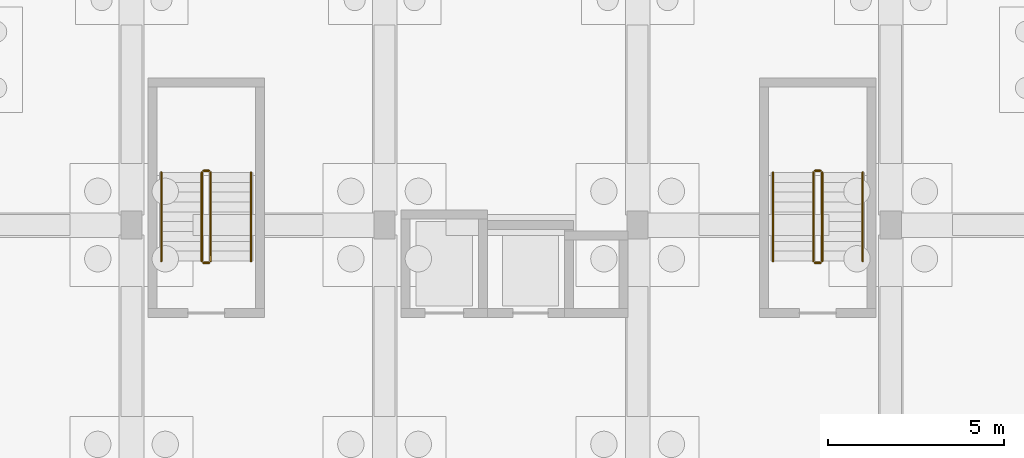
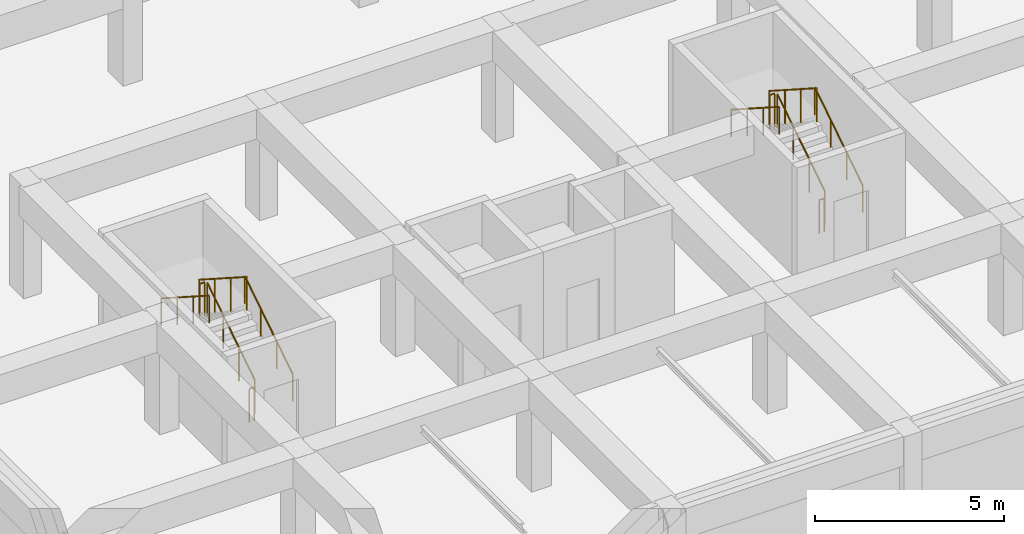
# One storey, part 32 of 36: 12 railings.
"""IFC4 building model written with IfcOpenShell, lengths in metres."""

from ifc_helpers import new_model, si_unit, direction, frame, origin, origin_2d, place, context, subcontext, project, spatial, circle, extrude, material, type_object, element, save


model = new_model("IFC4")

# Units and contexts
model_context = context("Model", 3, precision=1e-05, world=origin(), true_north=direction((0.0, 1.0)))
body_context = subcontext(model_context, "Body", "Model", "MODEL_VIEW")
ifc_project = project(units=[si_unit("LENGTHUNIT", "METRE"), si_unit("AREAUNIT", "SQUARE_METRE"), si_unit("VOLUMEUNIT", "CUBIC_METRE"), si_unit("PLANEANGLEUNIT", "RADIAN"), si_unit("MASSUNIT", "GRAM", prefix="KILO")], contexts=[model_context])

# Site, building, storey
site_placement = place(None, origin())
site = spatial("IfcSite", under=ifc_project, at=site_placement, CompositionType="ELEMENT")
building_placement = place(site_placement, origin())
building = spatial("IfcBuilding", under=site, at=building_placement, Name="Ochrevale Crest", CompositionType="ELEMENT")
storey_placement = place(building_placement, frame((0.0, 0.0, -3.60009765625)))
storey = spatial("IfcBuildingStorey", under=building, at=storey_placement, Name="B1", CompositionType="ELEMENT", Elevation=-3.60009765625)

# Railings
ifc_material_1 = material(Name="Galvanised steel", Category="steel")
railing_type_1 = type_object("IfcRailingType", Name="RL-ST-GUARD", PredefinedType="BALUSTRADE", material=ifc_material_1)
railing_1_placement = place(storey_placement, frame((9.449951171875, 27.77490234375, 0.18017578125)))
element("IfcRailing", 1, at=railing_1_placement, inside=storey, type_object=railing_type_1, Name="B1 ST-A1 stair guard 1", PredefinedType="BALUSTRADE", context=body_context, shape_type="SweptSolid", body=[
    extrude(circle(Radius=0.02392578125, at=origin_2d()), frame((0.0, 0.0, 1.076171875), z_axis=(0.0, 0.841199657755, 0.540724639528), x_axis=(-1.0, 0.0, 0.0)), (0.0, 0.0, 1.0), 2.995849609375),
    extrude(circle(Radius=0.02099609375, at=origin_2d()), origin(), (0.0, 0.0, 1.0), 1.052001953125),
    extrude(circle(Radius=0.02099609375, at=origin_2d()), frame((0.0, 0.840087890625, 0.5400390625)), (0.0, 0.0, 1.0), 1.052001953125),
    extrude(circle(Radius=0.02099609375, at=origin_2d()), frame((0.0, 1.679931640625, 1.079833984375)), (0.0, 0.0, 1.0), 1.052001953125),
    extrude(circle(Radius=0.02099609375, at=origin_2d()), frame((0.0, 2.52001953125, 1.619873046875)), (0.0, 0.0, 1.0), 1.052001953125),
])
railing_2_placement = place(storey_placement, frame((9.39990234375, 30.344970703125, 1.800048828125)))
element("IfcRailing", 2, at=railing_2_placement, inside=storey, type_object=railing_type_1, Name="B1 ST-A1 stair guard 2", PredefinedType="BALUSTRADE", context=body_context, shape_type="SweptSolid", body=[
    extrude(circle(Radius=0.02392578125, at=origin_2d()), frame((0.0, 0.0, 1.076171875), z_axis=(-1.0, 0.0, 0.0), x_axis=(0.0, -1.0, 0.0)), (0.0, 0.0, 1.0), 0.14990234375),
    extrude(circle(Radius=0.02099609375, at=origin_2d()), origin(), (0.0, 0.0, 1.0), 1.052001953125),
    extrude(circle(Radius=0.02099609375, at=origin_2d()), frame((-0.14990234375, 0.0, 0.0)), (0.0, 0.0, 1.0), 1.052001953125),
])
railing_3_placement = place(storey_placement, frame((9.199951171875, 30.294921875, 1.97998046875)))
element("IfcRailing", 3, at=railing_3_placement, inside=storey, type_object=railing_type_1, Name="B1 ST-A1 stair guard 3", PredefinedType="BALUSTRADE", context=body_context, shape_type="SweptSolid", body=[
    extrude(circle(Radius=0.02392578125, at=origin_2d()), frame((0.0, 0.0, 1.076171875), z_axis=(0.0, -0.841162588446, 0.540782303519), x_axis=(1.0, 0.0, 0.0)), (0.0, 0.0, 1.0), 2.995849609375),
    extrude(circle(Radius=0.02099609375, at=origin_2d()), origin(), (0.0, 0.0, 1.0), 1.052001953125),
    extrude(circle(Radius=0.02099609375, at=origin_2d()), frame((0.0, -0.840087890625, 0.5400390625)), (0.0, 0.0, 1.0), 1.052001953125),
    extrude(circle(Radius=0.02099609375, at=origin_2d()), frame((0.0, -1.679931640625, 1.080078125)), (0.0, 0.0, 1.0), 1.052001953125),
    extrude(circle(Radius=0.02099609375, at=origin_2d()), frame((0.0, -2.52001953125, 1.6201171875)), (0.0, 0.0, 1.0), 1.052001953125),
])
railing_4_placement = place(storey_placement, frame((9.39990234375, 27.72509765625, 0.0)))
element("IfcRailing", 4, at=railing_4_placement, inside=storey, type_object=railing_type_1, Name="B1 ST-A1 stair guard 4", PredefinedType="BALUSTRADE", context=body_context, shape_type="SweptSolid", body=[
    extrude(circle(Radius=0.02392578125, at=origin_2d()), frame((0.0, 0.0, 1.076171875), z_axis=(-1.0, 0.0, 0.0), x_axis=(0.0, -1.0, 0.0)), (0.0, 0.0, 1.0), 0.14990234375),
    extrude(circle(Radius=0.02099609375, at=origin_2d()), origin(), (0.0, 0.0, 1.0), 1.052001953125),
    extrude(circle(Radius=0.02099609375, at=origin_2d()), frame((-0.14990234375, 0.0, 0.0)), (0.0, 0.0, 1.0), 1.052001953125),
])
railing_5_placement = place(storey_placement, frame((26.85009765625, 27.77490234375, 0.18017578125)))
element("IfcRailing", 5, at=railing_5_placement, inside=storey, type_object=railing_type_1, Name="B1 ST-A2 stair guard 1", PredefinedType="BALUSTRADE", context=body_context, shape_type="SweptSolid", body=[
    extrude(circle(Radius=0.02392578125, at=origin_2d()), frame((0.0, 0.0, 1.076171875), z_axis=(0.0, 0.841199657755, 0.540724639528), x_axis=(-1.0, 0.0, 0.0)), (0.0, 0.0, 1.0), 2.995849609375),
    extrude(circle(Radius=0.02099609375, at=origin_2d()), origin(), (0.0, 0.0, 1.0), 1.052001953125),
    extrude(circle(Radius=0.02099609375, at=origin_2d()), frame((0.0, 0.840087890625, 0.5400390625)), (0.0, 0.0, 1.0), 1.052001953125),
    extrude(circle(Radius=0.02099609375, at=origin_2d()), frame((0.0, 1.679931640625, 1.079833984375)), (0.0, 0.0, 1.0), 1.052001953125),
    extrude(circle(Radius=0.02099609375, at=origin_2d()), frame((0.0, 2.52001953125, 1.619873046875)), (0.0, 0.0, 1.0), 1.052001953125),
])
railing_6_placement = place(storey_placement, frame((26.800048828125, 30.344970703125, 1.800048828125)))
element("IfcRailing", 6, at=railing_6_placement, inside=storey, type_object=railing_type_1, Name="B1 ST-A2 stair guard 2", PredefinedType="BALUSTRADE", context=body_context, shape_type="SweptSolid", body=[
    extrude(circle(Radius=0.02392578125, at=origin_2d()), frame((0.0, 0.0, 1.076171875), z_axis=(-1.0, 0.0, 0.0), x_axis=(0.0, -1.0, 0.0)), (0.0, 0.0, 1.0), 0.150146484375),
    extrude(circle(Radius=0.02099609375, at=origin_2d()), origin(), (0.0, 0.0, 1.0), 1.052001953125),
    extrude(circle(Radius=0.02099609375, at=origin_2d()), frame((-0.150146484375, 0.0, 0.0)), (0.0, 0.0, 1.0), 1.052001953125),
])
railing_7_placement = place(storey_placement, frame((26.60009765625, 30.294921875, 1.97998046875)))
element("IfcRailing", 7, at=railing_7_placement, inside=storey, type_object=railing_type_1, Name="B1 ST-A2 stair guard 3", PredefinedType="BALUSTRADE", context=body_context, shape_type="SweptSolid", body=[
    extrude(circle(Radius=0.02392578125, at=origin_2d()), frame((0.0, 0.0, 1.076171875), z_axis=(0.0, -0.841162588446, 0.540782303519), x_axis=(1.0, 0.0, 0.0)), (0.0, 0.0, 1.0), 2.995849609375),
    extrude(circle(Radius=0.02099609375, at=origin_2d()), origin(), (0.0, 0.0, 1.0), 1.052001953125),
    extrude(circle(Radius=0.02099609375, at=origin_2d()), frame((0.0, -0.840087890625, 0.5400390625)), (0.0, 0.0, 1.0), 1.052001953125),
    extrude(circle(Radius=0.02099609375, at=origin_2d()), frame((0.0, -1.679931640625, 1.080078125)), (0.0, 0.0, 1.0), 1.052001953125),
    extrude(circle(Radius=0.02099609375, at=origin_2d()), frame((0.0, -2.52001953125, 1.6201171875)), (0.0, 0.0, 1.0), 1.052001953125),
])
railing_8_placement = place(storey_placement, frame((26.800048828125, 27.72509765625, 0.0)))
element("IfcRailing", 8, at=railing_8_placement, inside=storey, type_object=railing_type_1, Name="B1 ST-A2 stair guard 4", PredefinedType="BALUSTRADE", context=body_context, shape_type="SweptSolid", body=[
    extrude(circle(Radius=0.02392578125, at=origin_2d()), frame((0.0, 0.0, 1.076171875), z_axis=(-1.0, 0.0, 0.0), x_axis=(0.0, -1.0, 0.0)), (0.0, 0.0, 1.0), 0.150146484375),
    extrude(circle(Radius=0.02099609375, at=origin_2d()), origin(), (0.0, 0.0, 1.0), 1.052001953125),
    extrude(circle(Radius=0.02099609375, at=origin_2d()), frame((-0.150146484375, 0.0, 0.0)), (0.0, 0.0, 1.0), 1.052001953125),
])
ifc_material_2 = material(Name="Stainless steel", Category="steel")
railing_type_2 = type_object("IfcRailingType", Name="RL-ST-HRAIL", PredefinedType="HANDRAIL", material=ifc_material_2)
railing_9_placement = place(storey_placement, frame((10.60009765625, 27.77490234375, 0.18017578125)))
element("IfcRailing", 9, at=railing_9_placement, inside=storey, type_object=railing_type_2, Name="B1 ST-A1 stair handrail 1", PredefinedType="HANDRAIL", context=body_context, shape_type="SweptSolid", body=[
    extrude(circle(Radius=0.02392578125, at=origin_2d()), frame((0.0, 0.0, 0.8759765625), z_axis=(0.0, 0.841199657755, 0.540724639528), x_axis=(-1.0, 0.0, 0.0)), (0.0, 0.0, 1.0), 2.995849609375),
    extrude(circle(Radius=0.02099609375, at=origin_2d()), origin(), (0.0, 0.0, 1.0), 0.851806640625),
    extrude(circle(Radius=0.02099609375, at=origin_2d()), frame((0.0, 0.840087890625, 0.5400390625)), (0.0, 0.0, 1.0), 0.851806640625),
    extrude(circle(Radius=0.02099609375, at=origin_2d()), frame((0.0, 1.679931640625, 1.079833984375)), (0.0, 0.0, 1.0), 0.851806640625),
    extrude(circle(Radius=0.02099609375, at=origin_2d()), frame((0.0, 2.52001953125, 1.619873046875)), (0.0, 0.0, 1.0), 0.851806640625),
])
railing_10_placement = place(storey_placement, frame((8.050048828125, 30.294921875, 1.97998046875)))
element("IfcRailing", 10, at=railing_10_placement, inside=storey, type_object=railing_type_2, Name="B1 ST-A1 stair handrail 2", PredefinedType="HANDRAIL", context=body_context, shape_type="SweptSolid", body=[
    extrude(circle(Radius=0.02392578125, at=origin_2d()), frame((0.0, 0.0, 0.8759765625), z_axis=(0.0, -0.841162588446, 0.540782303519), x_axis=(1.0, 0.0, 0.0)), (0.0, 0.0, 1.0), 2.995849609375),
    extrude(circle(Radius=0.02099609375, at=origin_2d()), origin(), (0.0, 0.0, 1.0), 0.851806640625),
    extrude(circle(Radius=0.02099609375, at=origin_2d()), frame((0.0, -0.840087890625, 0.5400390625)), (0.0, 0.0, 1.0), 0.851806640625),
    extrude(circle(Radius=0.02099609375, at=origin_2d()), frame((0.0, -1.679931640625, 1.080078125)), (0.0, 0.0, 1.0), 0.851806640625),
    extrude(circle(Radius=0.02099609375, at=origin_2d()), frame((0.0, -2.52001953125, 1.6201171875)), (0.0, 0.0, 1.0), 0.851806640625),
])
railing_11_placement = place(storey_placement, frame((28.0, 27.77490234375, 0.18017578125)))
element("IfcRailing", 11, at=railing_11_placement, inside=storey, type_object=railing_type_2, Name="B1 ST-A2 stair handrail 1", PredefinedType="HANDRAIL", context=body_context, shape_type="SweptSolid", body=[
    extrude(circle(Radius=0.02392578125, at=origin_2d()), frame((0.0, 0.0, 0.8759765625), z_axis=(0.0, 0.841199657755, 0.540724639528), x_axis=(-1.0, 0.0, 0.0)), (0.0, 0.0, 1.0), 2.995849609375),
    extrude(circle(Radius=0.02099609375, at=origin_2d()), origin(), (0.0, 0.0, 1.0), 0.851806640625),
    extrude(circle(Radius=0.02099609375, at=origin_2d()), frame((0.0, 0.840087890625, 0.5400390625)), (0.0, 0.0, 1.0), 0.851806640625),
    extrude(circle(Radius=0.02099609375, at=origin_2d()), frame((0.0, 1.679931640625, 1.079833984375)), (0.0, 0.0, 1.0), 0.851806640625),
    extrude(circle(Radius=0.02099609375, at=origin_2d()), frame((0.0, 2.52001953125, 1.619873046875)), (0.0, 0.0, 1.0), 0.851806640625),
])
railing_12_placement = place(storey_placement, frame((25.449951171875, 30.294921875, 1.97998046875)))
element("IfcRailing", 12, at=railing_12_placement, inside=storey, type_object=railing_type_2, Name="B1 ST-A2 stair handrail 2", PredefinedType="HANDRAIL", context=body_context, shape_type="SweptSolid", body=[
    extrude(circle(Radius=0.02392578125, at=origin_2d()), frame((0.0, 0.0, 0.8759765625), z_axis=(0.0, -0.841162588446, 0.540782303519), x_axis=(1.0, 0.0, 0.0)), (0.0, 0.0, 1.0), 2.995849609375),
    extrude(circle(Radius=0.02099609375, at=origin_2d()), origin(), (0.0, 0.0, 1.0), 0.851806640625),
    extrude(circle(Radius=0.02099609375, at=origin_2d()), frame((0.0, -0.840087890625, 0.5400390625)), (0.0, 0.0, 1.0), 0.851806640625),
    extrude(circle(Radius=0.02099609375, at=origin_2d()), frame((0.0, -1.679931640625, 1.080078125)), (0.0, 0.0, 1.0), 0.851806640625),
    extrude(circle(Radius=0.02099609375, at=origin_2d()), frame((0.0, -2.52001953125, 1.6201171875)), (0.0, 0.0, 1.0), 0.851806640625),
])

save(model, "model.ifc")
